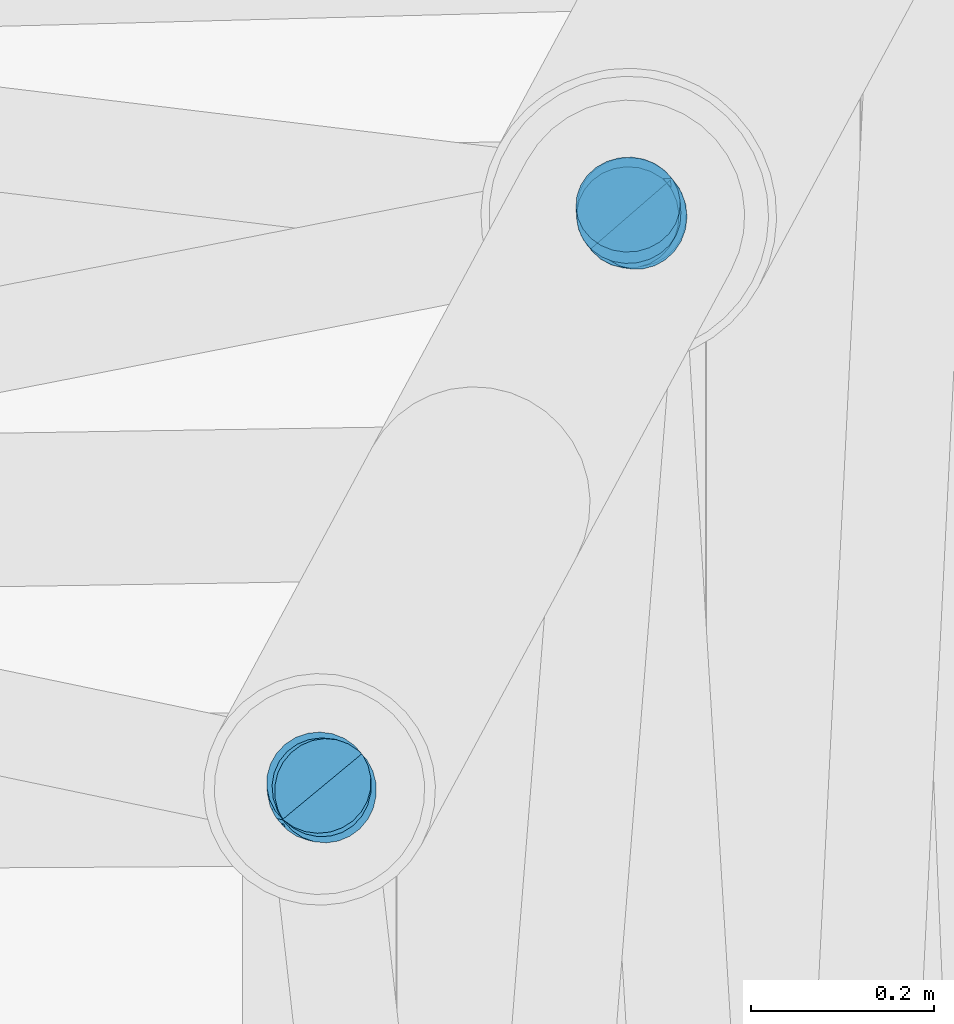
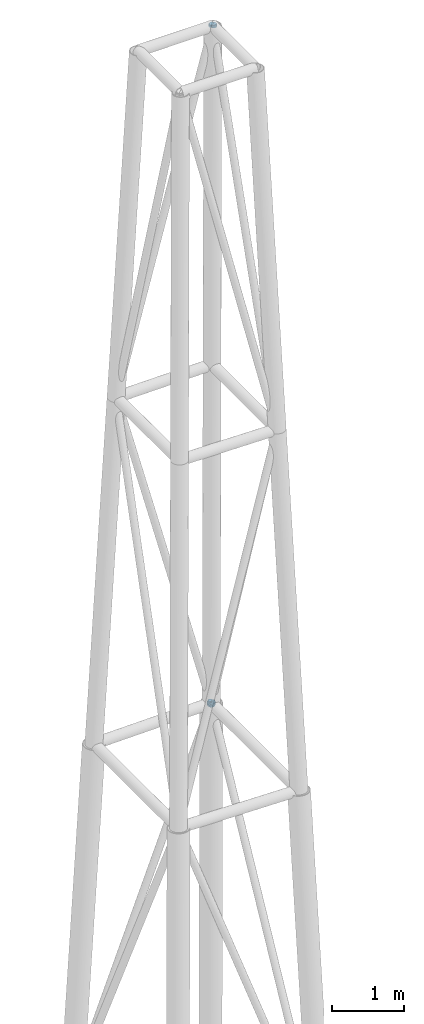
# One storey, part 8 of 10: 6 discrete accessories.
"""IFC4 building model written with IfcOpenShell, lengths in metres."""

from ifc_helpers import new_model, si_unit, direction, frame, origin, origin_2d, place, context, subcontext, project, spatial, circle, extrude, material, material_profile, profile_set, type_object, element, save


model = new_model("IFC4")

# Units and contexts
model_context = context("Model", 3, precision=1e-05, world=origin(), true_north=direction((0.0, 1.0)))
body_context = subcontext(model_context, "Body", "Model", "MODEL_VIEW")
ifc_project = project(units=[si_unit("LENGTHUNIT", "METRE"), si_unit("AREAUNIT", "SQUARE_METRE"), si_unit("VOLUMEUNIT", "CUBIC_METRE"), si_unit("PLANEANGLEUNIT", "RADIAN"), si_unit("MASSUNIT", "GRAM", prefix="KILO")], contexts=[model_context])

# Site, building, storey
site_placement = place(None, origin())
site = spatial("IfcSite", under=ifc_project, at=site_placement, CompositionType="ELEMENT")
building_placement = place(site_placement, origin())
building = spatial("IfcBuilding", under=site, at=building_placement, Name="Alderwake Tower", CompositionType="ELEMENT")
storey_placement = place(building_placement, frame((0.0, 0.0, 319.25)))
storey = spatial("IfcBuildingStorey", under=building, at=storey_placement, Name="Upper roof", CompositionType="ELEMENT", Elevation=319.25)

# Discrete accessories
ifc_material = material(Name="Steel ASTM A572 Grade 50", Category="steel")
ifc_material_profile = material_profile(ifc_material, circle(Radius=0.05712890625, at=origin_2d()), Name="HSS4.500X0.237 cap")
ifc_profile_set = profile_set([ifc_material_profile], Name="Steel ASTM A572 Grade 50")
discrete_accessory_type = type_object("IfcDiscreteAccessoryType", Name="End cap plate HSS4.500X0.237", PredefinedType="USERDEFINED", material=ifc_profile_set)
for number, where, z_axis, x_axis, name in (
    (1, (23.63671875, 62.22021484375, 43.75), (0.325720371424, -0.040715046428, 0.94458907713), (0.124034734589, 0.992277876714, 0.0), "End cap MD2.8 N"),
    (2, (23.63671875, 62.22021484375, 43.75), (-0.024370116946, 0.414291988086, 0.909817699326), (-0.998274373175, -0.058722021951, 0.0), "End cap MD4.8 N"),
    (3, (23.63671875, 62.22021484375, 43.75), (0.276541602665, 0.048801459294, -0.95976203278), (-0.173785333909, 0.984783558818, 0.0), "End cap MD2.9 S"),
    (4, (23.63671875, 62.22021484375, 43.75), (0.02437655215, 0.333146212719, -0.942560016474), (-0.997333723592, 0.072975638312, 0.0), "End cap MD4.9 S"),
    (5, (23.29833984375, 61.5927734375, 55.75), (0.21925149171, -0.048722553713, 0.974451074268), (0.216930457819, 0.976187060184, 0.0), "End cap MD2.10 N"),
    (6, (23.29833984375, 61.5927734375, 55.75), (-0.024437941934, 0.244379419341, 0.969371696717), (-0.99503719021, -0.099503719021, 0.0), "End cap MD4.10 N"),
):
    element("IfcDiscreteAccessory", number, at=place(storey_placement, frame(where, z_axis=z_axis, x_axis=x_axis)), inside=storey, type_object=discrete_accessory_type, Name=name, ObjectType="END CAP", PredefinedType="USERDEFINED", context=body_context, shape_type="SweptSolid", body=[
        extrude(circle(Radius=0.05712890625, at=origin_2d()), origin(), (0.0, 0.0, 1.0), 0.030029296875),
    ])

save(model, "model.ifc")
